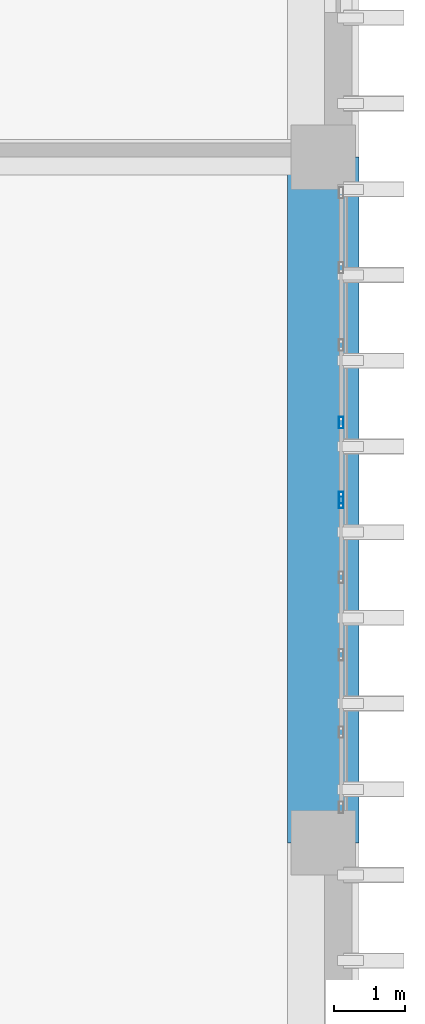
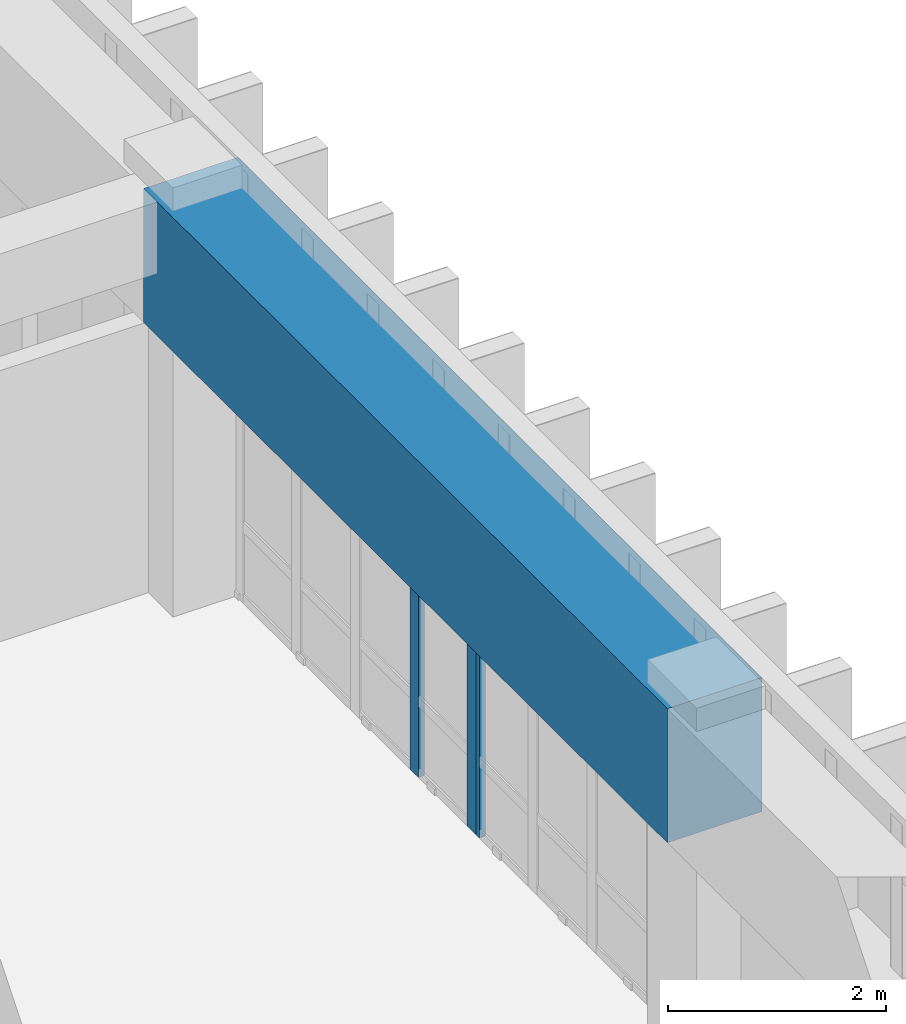
# One storey, part 43 of 101: 3 members, 1 beam, 2 elements without a shape of their own.
"""IFC4 building model written with IfcOpenShell, lengths in metres."""

from ifc_helpers import new_model, si_unit, direction, frame, origin, origin_2d, place, context, subcontext, project, spatial, rectangle, hollow_rectangle, extrude, material, layer, layer_set, material_profile, profile_set, type_object, element, aggregate, save


model = new_model("IFC4")

# Units and contexts
model_context = context("Model", 3, precision=1e-05, world=origin(), true_north=direction((0.0, 1.0)))
body_context = subcontext(model_context, "Body", "Model", "MODEL_VIEW")
ifc_project = project(units=[si_unit("LENGTHUNIT", "METRE"), si_unit("AREAUNIT", "SQUARE_METRE"), si_unit("VOLUMEUNIT", "CUBIC_METRE"), si_unit("PLANEANGLEUNIT", "RADIAN"), si_unit("MASSUNIT", "GRAM", prefix="KILO")], contexts=[model_context])

# Site, building, storey
site_placement = place(None, origin())
site = spatial("IfcSite", under=ifc_project, at=site_placement, CompositionType="ELEMENT")
building_placement = place(site_placement, origin())
building = spatial("IfcBuilding", under=site, at=building_placement, Name="Nakhvara Creek Congress Hotel", CompositionType="ELEMENT")
storey_placement = place(building_placement, frame((0.0, 0.0, 16.199951171875)))
storey = spatial("IfcBuildingStorey", under=building, at=storey_placement, Name="L03", CompositionType="ELEMENT", Elevation=16.199951171875)

# Beam
ifc_material_1 = material(Name="Concrete C50/60", Category="concrete")
ifc_material_profile_1 = material_profile(ifc_material_1, rectangle(XDim=1.0, YDim=1.5, at=origin_2d()), Name="RC-TG 1000x1500", Category="LoadBearing")
ifc_profile_set_1 = profile_set([ifc_material_profile_1], Name="Concrete C50/60")
beam_type = type_object("IfcBeamType", Name="BM-TG2-1500", PredefinedType="BEAM", material=ifc_profile_set_1)
beam_placement = place(storey_placement, frame((179.35009765625, 57.60009765625, 3.7900390625), z_axis=(0.0, 1.0, 0.0), x_axis=(-1.0, 0.0, 0.0)))
element("IfcBeam", 1, at=beam_placement, inside=storey, type_object=beam_type, Name="Transfer Girder TG2-L03-1902", PredefinedType="BEAM", context=body_context, shape_type="SweptSolid", body=[
    extrude(rectangle(XDim=1.0, YDim=1.5, at=origin_2d()), origin(), (0.0, 0.0, 1.0), 9.599853515625),
])

# Curtain wall, member
ifc_material_2 = material(Name="Bronze-anodised aluminium AW-6063-T6 and double-silver low-E glass", Category="aluminium")
ifc_layer = layer(ifc_material_2, 0.199951171875)
ifc_layer_set = layer_set([ifc_layer], Name="Bronze-anodised aluminium AW-6063-T6 and double-silver low-E glass")
curtain_wall_type = type_object("IfcCurtainWallType", Name="CW-HTL-UNIT", PredefinedType="USERDEFINED", material=ifc_layer_set)
curtain_wall_1_placement = place(storey_placement, origin())
curtain_wall_1 = element("IfcCurtainWall", 2, at=curtain_wall_1_placement, inside=storey, type_object=curtain_wall_type, Name="Curtain Wall CW158", ObjectType="UNITISED", PredefinedType="USERDEFINED")
ifc_material_3 = material(Name="Bronze-anodised aluminium AW-6063-T6", Category="aluminium")
ifc_material_profile_2 = material_profile(ifc_material_3, hollow_rectangle(XDim=0.06494140625, YDim=0.159912109375, WallThickness=0.00390625, at=origin_2d()), Name="ALU-MULL 65x160x4", Category="LoadBearing")
ifc_profile_set_2 = profile_set([ifc_material_profile_2], Name="Bronze-anodised aluminium AW-6063-T6")
member_type = type_object("IfcMemberType", Name="CW-MULL-160", PredefinedType="MULLION", material=ifc_profile_set_2)
member_1_placement = place(storey_placement, frame((179.60009765625, 62.367431640625, 0.0), z_axis=(0.0, 0.0, 1.0), x_axis=(1.0, 0.0, 0.0)))
member_1 = element("IfcMember", 3, at=member_1_placement, type_object=member_type, Name="CW158 mullion 1", PredefinedType="MULLION", context=body_context, shape_type="SweptSolid", body=[
    extrude(hollow_rectangle(XDim=0.06494140625, YDim=0.159912109375, WallThickness=0.00390625, at=origin_2d()), origin(), (0.0, 0.0, 1.0), 3.031982421875),
])
aggregate(curtain_wall_1, [member_1])

# Curtain wall, members
curtain_wall_2_placement = place(storey_placement, origin())
curtain_wall_2 = element("IfcCurtainWall", 4, at=curtain_wall_2_placement, inside=storey, type_object=curtain_wall_type, Name="Curtain Wall CW159", ObjectType="UNITISED", PredefinedType="USERDEFINED")
member_2_placement = place(storey_placement, frame((179.60009765625, 63.483642578125, 0.0), z_axis=(0.0, 0.0, 1.0), x_axis=(1.0, 0.0, 0.0)))
member_2 = element("IfcMember", 5, at=member_2_placement, type_object=member_type, Name="CW159 mullion 4", PredefinedType="MULLION", context=body_context, shape_type="SweptSolid", body=[
    extrude(hollow_rectangle(XDim=0.06494140625, YDim=0.159912109375, WallThickness=0.00390625, at=origin_2d()), origin(), (0.0, 0.0, 1.0), 3.031982421875),
])
member_3_placement = place(storey_placement, frame((179.60009765625, 62.4326171875, 0.0), z_axis=(0.0, 0.0, 1.0), x_axis=(1.0, 0.0, 0.0)))
member_3 = element("IfcMember", 6, at=member_3_placement, type_object=member_type, Name="CW159 mullion 5", PredefinedType="MULLION", context=body_context, shape_type="SweptSolid", body=[
    extrude(hollow_rectangle(XDim=0.06494140625, YDim=0.159912109375, WallThickness=0.00390625, at=origin_2d()), origin(), (0.0, 0.0, 1.0), 3.031982421875),
])
aggregate(curtain_wall_2, [member_2, member_3])

save(model, "model.ifc")
